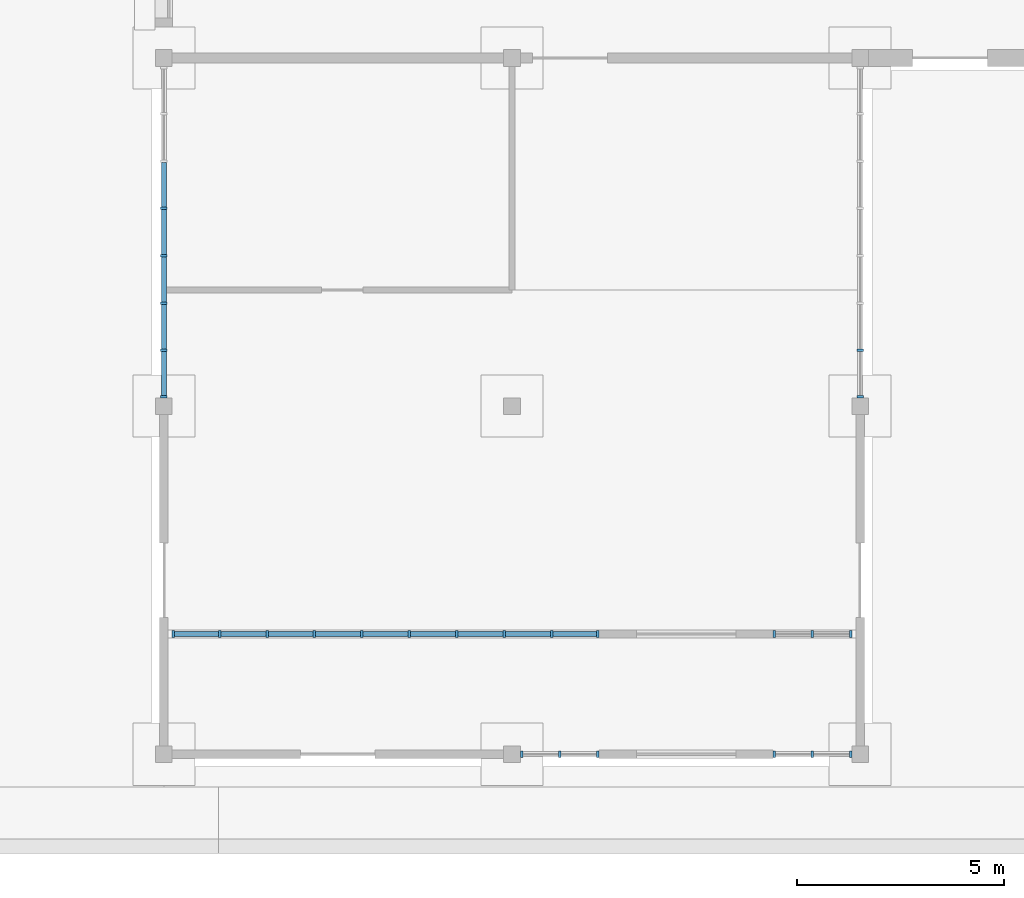
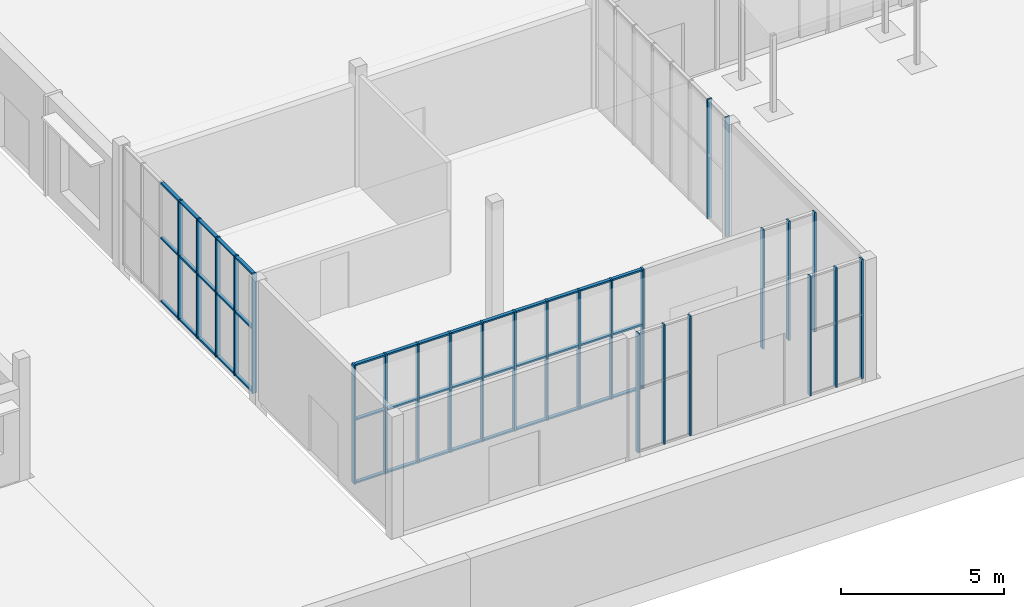
# One storey, part 10 of 36: 68 members, 6 elements without a shape of their own.
"""IFC4 building model written with IfcOpenShell, lengths in metres."""

from ifc_helpers import new_model, si_unit, direction, frame, origin, origin_2d, place, context, subcontext, project, spatial, rectangle, extrude, material, material_profile, profile_set, type_object, element, aggregate, save


model = new_model("IFC4")

# Units and contexts
model_context = context("Model", 3, precision=1e-05, world=origin(), true_north=direction((0.0, 1.0)))
body_context = subcontext(model_context, "Body", "Model", "MODEL_VIEW")
ifc_project = project(units=[si_unit("LENGTHUNIT", "METRE"), si_unit("AREAUNIT", "SQUARE_METRE"), si_unit("VOLUMEUNIT", "CUBIC_METRE"), si_unit("PLANEANGLEUNIT", "RADIAN"), si_unit("MASSUNIT", "GRAM", prefix="KILO")], contexts=[model_context])

# Site, building, storey
site_placement = place(None, origin())
site = spatial("IfcSite", under=ifc_project, at=site_placement, CompositionType="ELEMENT")
building_placement = place(site_placement, origin())
building = spatial("IfcBuilding", under=site, at=building_placement, Name="Fescue Hill Polytechnic", CompositionType="ELEMENT")
storey_placement = place(building_placement, origin())
storey = spatial("IfcBuildingStorey", under=building, at=storey_placement, Name="L00", CompositionType="ELEMENT", Elevation=0.0)

# Curtain wall, members
ifc_material_1 = material(Name="Glass", Category="glass")
curtain_wall_type_1 = type_object("IfcCurtainWallType", Name="Curtain wall structural glazing", PredefinedType="NOTDEFINED", material=ifc_material_1)
curtain_wall_1_placement = place(storey_placement, origin())
curtain_wall_1 = element("IfcCurtainWall", 1, at=curtain_wall_1_placement, inside=storey, type_object=curtain_wall_type_1, Name="CW-L00-V7-1", PredefinedType="NOTDEFINED")
ifc_material_2 = material(Name="Powder-coated aluminium", Category="aluminium")
ifc_material_profile_1 = material_profile(ifc_material_2, rectangle(XDim=0.159912109375, YDim=0.06005859375, at=origin_2d()), Name="Mullion aluminium 60x160")
ifc_profile_set_1 = profile_set([ifc_material_profile_1], Name="Powder-coated aluminium")
member_type_1 = type_object("IfcMemberType", Name="Mullion aluminium 60x160", PredefinedType="MULLION", material=ifc_profile_set_1)
member_1_placement = place(storey_placement, frame((142.800048828125, 0.22998046875, 0.0), z_axis=(0.0, 0.0, 1.0), x_axis=(-1.0, 0.0, 0.0)))
member_1 = element("IfcMember", 2, at=member_1_placement, type_object=member_type_1, Name="CW37 mullion 1", PredefinedType="MULLION", context=body_context, shape_type="SweptSolid", body=[
    extrude(rectangle(XDim=0.159912109375, YDim=0.06005859375, at=origin_2d()), origin(), (0.0, 0.0, 1.0), 4.47998046875),
])
member_2_placement = place(storey_placement, frame((142.800048828125, 1.3427734375, 0.0), z_axis=(0.0, 0.0, 1.0), x_axis=(-1.0, 0.0, 0.0)))
member_2 = element("IfcMember", 3, at=member_2_placement, type_object=member_type_1, Name="CW37 mullion 2", PredefinedType="MULLION", context=body_context, shape_type="SweptSolid", body=[
    extrude(rectangle(XDim=0.159912109375, YDim=0.06005859375, at=origin_2d()), origin(), (0.0, 0.0, 1.0), 4.47998046875),
])
aggregate(curtain_wall_1, [member_1, member_2])

curtain_wall_2_placement = place(storey_placement, origin())
curtain_wall_2 = element("IfcCurtainWall", 4, at=curtain_wall_2_placement, inside=storey, type_object=curtain_wall_type_1, Name="CW-L00-V7-2", PredefinedType="NOTDEFINED")
member_3_placement = place(storey_placement, frame((126.0, 4.771484375, 0.0), z_axis=(0.0, 0.0, 1.0), x_axis=(1.0, 0.0, 0.0)))
member_3 = element("IfcMember", 5, at=member_3_placement, type_object=member_type_1, Name="CW38 mullion 4", PredefinedType="MULLION", context=body_context, shape_type="SweptSolid", body=[
    extrude(rectangle(XDim=0.159912109375, YDim=0.06005859375, at=origin_2d()), origin(), (0.0, 0.0, 1.0), 4.47998046875),
])
member_4_placement = place(storey_placement, frame((126.0, 3.628662109375, 0.0), z_axis=(0.0, 0.0, 1.0), x_axis=(1.0, 0.0, 0.0)))
member_4 = element("IfcMember", 6, at=member_4_placement, type_object=member_type_1, Name="CW38 mullion 5", PredefinedType="MULLION", context=body_context, shape_type="SweptSolid", body=[
    extrude(rectangle(XDim=0.159912109375, YDim=0.06005859375, at=origin_2d()), origin(), (0.0, 0.0, 1.0), 4.47998046875),
])
member_5_placement = place(storey_placement, frame((126.0, 2.485595703125, 0.0), z_axis=(0.0, 0.0, 1.0), x_axis=(1.0, 0.0, 0.0)))
member_5 = element("IfcMember", 7, at=member_5_placement, type_object=member_type_1, Name="CW38 mullion 6", PredefinedType="MULLION", context=body_context, shape_type="SweptSolid", body=[
    extrude(rectangle(XDim=0.159912109375, YDim=0.06005859375, at=origin_2d()), origin(), (0.0, 0.0, 1.0), 4.47998046875),
])
member_6_placement = place(storey_placement, frame((126.0, 1.3427734375, 0.0), z_axis=(0.0, 0.0, 1.0), x_axis=(1.0, 0.0, 0.0)))
member_6 = element("IfcMember", 8, at=member_6_placement, type_object=member_type_1, Name="CW38 mullion 7", PredefinedType="MULLION", context=body_context, shape_type="SweptSolid", body=[
    extrude(rectangle(XDim=0.159912109375, YDim=0.06005859375, at=origin_2d()), origin(), (0.0, 0.0, 1.0), 4.47998046875),
])
member_7_placement = place(storey_placement, frame((126.0, 0.22998046875, 0.0), z_axis=(0.0, 0.0, 1.0), x_axis=(1.0, 0.0, 0.0)))
member_7 = element("IfcMember", 9, at=member_7_placement, type_object=member_type_1, Name="CW38 mullion 8", PredefinedType="MULLION", context=body_context, shape_type="SweptSolid", body=[
    extrude(rectangle(XDim=0.159912109375, YDim=0.06005859375, at=origin_2d()), origin(), (0.0, 0.0, 1.0), 4.47998046875),
])

curtain_wall_3_placement = place(storey_placement, origin())
curtain_wall_3 = element("IfcCurtainWall", 10, at=curtain_wall_3_placement, inside=storey, type_object=curtain_wall_type_1, Name="CW-L00-V7-3", PredefinedType="NOTDEFINED")
member_8_placement = place(storey_placement, frame((134.6298828125, -8.39990234375, 0.0), z_axis=(0.0, 0.0, 1.0), x_axis=(0.0, 1.0, 0.0)))
member_8 = element("IfcMember", 11, at=member_8_placement, type_object=member_type_1, Name="CW39 mullion 1", PredefinedType="MULLION", context=body_context, shape_type="SweptSolid", body=[
    extrude(rectangle(XDim=0.159912109375, YDim=0.06005859375, at=origin_2d()), origin(), (0.0, 0.0, 1.0), 4.47998046875),
])
member_9_placement = place(storey_placement, frame((135.550048828125, -8.39990234375, 0.0), z_axis=(0.0, 0.0, 1.0), x_axis=(0.0, 1.0, 0.0)))
member_9 = element("IfcMember", 12, at=member_9_placement, type_object=member_type_1, Name="CW39 mullion 2", PredefinedType="MULLION", context=body_context, shape_type="SweptSolid", body=[
    extrude(rectangle(XDim=0.159912109375, YDim=0.06005859375, at=origin_2d()), origin(), (0.0, 0.0, 1.0), 4.47998046875),
])
member_10_placement = place(storey_placement, frame((136.469970703125, -8.39990234375, 0.0), z_axis=(0.0, 0.0, 1.0), x_axis=(0.0, 1.0, 0.0)))
member_10 = element("IfcMember", 13, at=member_10_placement, type_object=member_type_1, Name="CW39 mullion 3", PredefinedType="MULLION", context=body_context, shape_type="SweptSolid", body=[
    extrude(rectangle(XDim=0.159912109375, YDim=0.06005859375, at=origin_2d()), origin(), (0.0, 0.0, 1.0), 4.47998046875),
])
aggregate(curtain_wall_3, [member_8, member_9, member_10])

curtain_wall_4_placement = place(storey_placement, origin())
curtain_wall_4 = element("IfcCurtainWall", 14, at=curtain_wall_4_placement, inside=storey, type_object=curtain_wall_type_1, Name="CW-L00-V7-4", PredefinedType="NOTDEFINED")
member_11_placement = place(storey_placement, frame((140.72998046875, -8.39990234375, 0.0), z_axis=(0.0, 0.0, 1.0), x_axis=(0.0, 1.0, 0.0)))
member_11 = element("IfcMember", 15, at=member_11_placement, type_object=member_type_1, Name="CW40 mullion 1", PredefinedType="MULLION", context=body_context, shape_type="SweptSolid", body=[
    extrude(rectangle(XDim=0.159912109375, YDim=0.06005859375, at=origin_2d()), origin(), (0.0, 0.0, 1.0), 4.47998046875),
])
member_12_placement = place(storey_placement, frame((141.64990234375, -8.39990234375, 0.0), z_axis=(0.0, 0.0, 1.0), x_axis=(0.0, 1.0, 0.0)))
member_12 = element("IfcMember", 16, at=member_12_placement, type_object=member_type_1, Name="CW40 mullion 2", PredefinedType="MULLION", context=body_context, shape_type="SweptSolid", body=[
    extrude(rectangle(XDim=0.159912109375, YDim=0.06005859375, at=origin_2d()), origin(), (0.0, 0.0, 1.0), 4.47998046875),
])
member_13_placement = place(storey_placement, frame((142.570068359375, -8.39990234375, 0.0), z_axis=(0.0, 0.0, 1.0), x_axis=(0.0, 1.0, 0.0)))
member_13 = element("IfcMember", 17, at=member_13_placement, type_object=member_type_1, Name="CW40 mullion 3", PredefinedType="MULLION", context=body_context, shape_type="SweptSolid", body=[
    extrude(rectangle(XDim=0.159912109375, YDim=0.06005859375, at=origin_2d()), origin(), (0.0, 0.0, 1.0), 4.47998046875),
])
aggregate(curtain_wall_4, [member_11, member_12, member_13])

curtain_wall_type_2 = type_object("IfcCurtainWallType", Name="Curtain wall vestibule glazing", PredefinedType="NOTDEFINED", material=ifc_material_1)
curtain_wall_5_placement = place(storey_placement, origin())
curtain_wall_5 = element("IfcCurtainWall", 18, at=curtain_wall_5_placement, inside=storey, type_object=curtain_wall_type_2, Name="CW-L00-V7-X1", PredefinedType="NOTDEFINED")
ifc_material_profile_2 = material_profile(ifc_material_2, rectangle(XDim=0.159912109375, YDim=0.06005859375, at=origin_2d()), Name="Mullion aluminium 60x160 internal")
ifc_profile_set_2 = profile_set([ifc_material_profile_2], Name="Powder-coated aluminium")
member_type_2 = type_object("IfcMemberType", Name="Mullion aluminium 60x160 internal", PredefinedType="MULLION", material=ifc_profile_set_2)
member_14_placement = place(storey_placement, frame((126.22998046875, -5.5, 0.0), z_axis=(0.0, 0.0, 1.0), x_axis=(0.0, 1.0, 0.0)))
member_14 = element("IfcMember", 19, at=member_14_placement, type_object=member_type_2, Name="CW113 mullion 1", PredefinedType="MULLION", context=body_context, shape_type="SweptSolid", body=[
    extrude(rectangle(XDim=0.159912109375, YDim=0.06005859375, at=origin_2d()), origin(), (0.0, 0.0, 1.0), 4.47998046875),
])
member_15_placement = place(storey_placement, frame((127.344482421875, -5.5, 0.0), z_axis=(0.0, 0.0, 1.0), x_axis=(0.0, 1.0, 0.0)))
member_15 = element("IfcMember", 20, at=member_15_placement, type_object=member_type_2, Name="CW113 mullion 2", PredefinedType="MULLION", context=body_context, shape_type="SweptSolid", body=[
    extrude(rectangle(XDim=0.159912109375, YDim=0.06005859375, at=origin_2d()), origin(), (0.0, 0.0, 1.0), 4.47998046875),
])
member_16_placement = place(storey_placement, frame((128.48876953125, -5.5, 0.0), z_axis=(0.0, 0.0, 1.0), x_axis=(0.0, 1.0, 0.0)))
member_16 = element("IfcMember", 21, at=member_16_placement, type_object=member_type_2, Name="CW113 mullion 3", PredefinedType="MULLION", context=body_context, shape_type="SweptSolid", body=[
    extrude(rectangle(XDim=0.159912109375, YDim=0.06005859375, at=origin_2d()), origin(), (0.0, 0.0, 1.0), 4.47998046875),
])
member_17_placement = place(storey_placement, frame((129.63330078125, -5.5, 0.0), z_axis=(0.0, 0.0, 1.0), x_axis=(0.0, 1.0, 0.0)))
member_17 = element("IfcMember", 22, at=member_17_placement, type_object=member_type_2, Name="CW113 mullion 4", PredefinedType="MULLION", context=body_context, shape_type="SweptSolid", body=[
    extrude(rectangle(XDim=0.159912109375, YDim=0.06005859375, at=origin_2d()), origin(), (0.0, 0.0, 1.0), 4.47998046875),
])
member_18_placement = place(storey_placement, frame((130.77783203125, -5.5, 0.0), z_axis=(0.0, 0.0, 1.0), x_axis=(0.0, 1.0, 0.0)))
member_18 = element("IfcMember", 23, at=member_18_placement, type_object=member_type_2, Name="CW113 mullion 5", PredefinedType="MULLION", context=body_context, shape_type="SweptSolid", body=[
    extrude(rectangle(XDim=0.159912109375, YDim=0.06005859375, at=origin_2d()), origin(), (0.0, 0.0, 1.0), 4.47998046875),
])
member_19_placement = place(storey_placement, frame((131.922119140625, -5.5, 0.0), z_axis=(0.0, 0.0, 1.0), x_axis=(0.0, 1.0, 0.0)))
member_19 = element("IfcMember", 24, at=member_19_placement, type_object=member_type_2, Name="CW113 mullion 6", PredefinedType="MULLION", context=body_context, shape_type="SweptSolid", body=[
    extrude(rectangle(XDim=0.159912109375, YDim=0.06005859375, at=origin_2d()), origin(), (0.0, 0.0, 1.0), 4.47998046875),
])
member_20_placement = place(storey_placement, frame((133.066650390625, -5.5, 0.0), z_axis=(0.0, 0.0, 1.0), x_axis=(0.0, 1.0, 0.0)))
member_20 = element("IfcMember", 25, at=member_20_placement, type_object=member_type_2, Name="CW113 mullion 7", PredefinedType="MULLION", context=body_context, shape_type="SweptSolid", body=[
    extrude(rectangle(XDim=0.159912109375, YDim=0.06005859375, at=origin_2d()), origin(), (0.0, 0.0, 1.0), 4.47998046875),
])
member_21_placement = place(storey_placement, frame((134.211181640625, -5.5, 0.0), z_axis=(0.0, 0.0, 1.0), x_axis=(0.0, 1.0, 0.0)))
member_21 = element("IfcMember", 26, at=member_21_placement, type_object=member_type_2, Name="CW113 mullion 8", PredefinedType="MULLION", context=body_context, shape_type="SweptSolid", body=[
    extrude(rectangle(XDim=0.159912109375, YDim=0.06005859375, at=origin_2d()), origin(), (0.0, 0.0, 1.0), 4.47998046875),
])
member_22_placement = place(storey_placement, frame((135.35546875, -5.5, 0.0), z_axis=(0.0, 0.0, 1.0), x_axis=(0.0, 1.0, 0.0)))
member_22 = element("IfcMember", 27, at=member_22_placement, type_object=member_type_2, Name="CW113 mullion 9", PredefinedType="MULLION", context=body_context, shape_type="SweptSolid", body=[
    extrude(rectangle(XDim=0.159912109375, YDim=0.06005859375, at=origin_2d()), origin(), (0.0, 0.0, 1.0), 4.47998046875),
])
member_23_placement = place(storey_placement, frame((136.469970703125, -5.5, 0.0), z_axis=(0.0, 0.0, 1.0), x_axis=(0.0, 1.0, 0.0)))
member_23 = element("IfcMember", 28, at=member_23_placement, type_object=member_type_2, Name="CW113 mullion 10", PredefinedType="MULLION", context=body_context, shape_type="SweptSolid", body=[
    extrude(rectangle(XDim=0.159912109375, YDim=0.06005859375, at=origin_2d()), origin(), (0.0, 0.0, 1.0), 4.47998046875),
])

curtain_wall_6_placement = place(storey_placement, origin())
curtain_wall_6 = element("IfcCurtainWall", 29, at=curtain_wall_6_placement, inside=storey, type_object=curtain_wall_type_2, Name="CW-L00-V7-X2", PredefinedType="NOTDEFINED")
member_24_placement = place(storey_placement, frame((140.72998046875, -5.5, 0.0), z_axis=(0.0, 0.0, 1.0), x_axis=(0.0, 1.0, 0.0)))
member_24 = element("IfcMember", 30, at=member_24_placement, type_object=member_type_2, Name="CW114 mullion 1", PredefinedType="MULLION", context=body_context, shape_type="SweptSolid", body=[
    extrude(rectangle(XDim=0.159912109375, YDim=0.06005859375, at=origin_2d()), origin(), (0.0, 0.0, 1.0), 4.47998046875),
])
member_25_placement = place(storey_placement, frame((141.64990234375, -5.5, 0.0), z_axis=(0.0, 0.0, 1.0), x_axis=(0.0, 1.0, 0.0)))
member_25 = element("IfcMember", 31, at=member_25_placement, type_object=member_type_2, Name="CW114 mullion 2", PredefinedType="MULLION", context=body_context, shape_type="SweptSolid", body=[
    extrude(rectangle(XDim=0.159912109375, YDim=0.06005859375, at=origin_2d()), origin(), (0.0, 0.0, 1.0), 4.47998046875),
])
member_26_placement = place(storey_placement, frame((142.570068359375, -5.5, 0.0), z_axis=(0.0, 0.0, 1.0), x_axis=(0.0, 1.0, 0.0)))
member_26 = element("IfcMember", 32, at=member_26_placement, type_object=member_type_2, Name="CW114 mullion 3", PredefinedType="MULLION", context=body_context, shape_type="SweptSolid", body=[
    extrude(rectangle(XDim=0.159912109375, YDim=0.06005859375, at=origin_2d()), origin(), (0.0, 0.0, 1.0), 4.47998046875),
])
aggregate(curtain_wall_6, [member_24, member_25, member_26])

# Member
ifc_material_profile_3 = material_profile(ifc_material_2, rectangle(XDim=0.1201171875, YDim=0.06005859375, at=origin_2d()), Name="Transom aluminium 60x120")
ifc_profile_set_3 = profile_set([ifc_material_profile_3], Name="Powder-coated aluminium")
member_type_3 = type_object("IfcMemberType", Name="Transom aluminium 60x120", PredefinedType="USERDEFINED", material=ifc_profile_set_3)
member_27_placement = place(storey_placement, frame((126.0, 5.88427734375, 0.030029296875), z_axis=(0.0, -1.0, 0.0), x_axis=(1.0, 0.0, 0.0)))
member_27 = element("IfcMember", 33, at=member_27_placement, type_object=member_type_3, Name="CW38 transom 3.1", ObjectType="TRANSOM", PredefinedType="USERDEFINED", context=body_context, shape_type="SweptSolid", body=[
    extrude(rectangle(XDim=0.1201171875, YDim=0.06005859375, at=origin_2d()), origin(), (0.0, 0.0, 1.0), 1.082763671875),
])

member_28_placement = place(storey_placement, frame((126.0, 5.88427734375, 2.39990234375), z_axis=(0.0, -1.0, 0.0), x_axis=(1.0, 0.0, 0.0)))
member_28 = element("IfcMember", 34, at=member_28_placement, type_object=member_type_3, Name="CW38 transom 3.2", ObjectType="TRANSOM", PredefinedType="USERDEFINED", context=body_context, shape_type="SweptSolid", body=[
    extrude(rectangle(XDim=0.1201171875, YDim=0.06005859375, at=origin_2d()), origin(), (0.0, 0.0, 1.0), 1.082763671875),
])

member_29_placement = place(storey_placement, frame((126.0, 5.88427734375, 4.449951171875), z_axis=(0.0, -1.0, 0.0), x_axis=(1.0, 0.0, 0.0)))
member_29 = element("IfcMember", 35, at=member_29_placement, type_object=member_type_3, Name="CW38 transom 3.3", ObjectType="TRANSOM", PredefinedType="USERDEFINED", context=body_context, shape_type="SweptSolid", body=[
    extrude(rectangle(XDim=0.1201171875, YDim=0.06005859375, at=origin_2d()), origin(), (0.0, 0.0, 1.0), 1.082763671875),
])

member_30_placement = place(storey_placement, frame((126.0, 4.741455078125, 0.030029296875), z_axis=(0.0, -1.0, 0.0), x_axis=(1.0, 0.0, 0.0)))
member_30 = element("IfcMember", 36, at=member_30_placement, type_object=member_type_3, Name="CW38 transom 4.1", ObjectType="TRANSOM", PredefinedType="USERDEFINED", context=body_context, shape_type="SweptSolid", body=[
    extrude(rectangle(XDim=0.1201171875, YDim=0.06005859375, at=origin_2d()), origin(), (0.0, 0.0, 1.0), 1.082763671875),
])

member_31_placement = place(storey_placement, frame((126.0, 4.741455078125, 2.39990234375), z_axis=(0.0, -1.0, 0.0), x_axis=(1.0, 0.0, 0.0)))
member_31 = element("IfcMember", 37, at=member_31_placement, type_object=member_type_3, Name="CW38 transom 4.2", ObjectType="TRANSOM", PredefinedType="USERDEFINED", context=body_context, shape_type="SweptSolid", body=[
    extrude(rectangle(XDim=0.1201171875, YDim=0.06005859375, at=origin_2d()), origin(), (0.0, 0.0, 1.0), 1.082763671875),
])

member_32_placement = place(storey_placement, frame((126.0, 4.741455078125, 4.449951171875), z_axis=(0.0, -1.0, 0.0), x_axis=(1.0, 0.0, 0.0)))
member_32 = element("IfcMember", 38, at=member_32_placement, type_object=member_type_3, Name="CW38 transom 4.3", ObjectType="TRANSOM", PredefinedType="USERDEFINED", context=body_context, shape_type="SweptSolid", body=[
    extrude(rectangle(XDim=0.1201171875, YDim=0.06005859375, at=origin_2d()), origin(), (0.0, 0.0, 1.0), 1.082763671875),
])

member_33_placement = place(storey_placement, frame((126.0, 3.5986328125, 0.030029296875), z_axis=(0.0, -1.0, 0.0), x_axis=(1.0, 0.0, 0.0)))
member_33 = element("IfcMember", 39, at=member_33_placement, type_object=member_type_3, Name="CW38 transom 5.1", ObjectType="TRANSOM", PredefinedType="USERDEFINED", context=body_context, shape_type="SweptSolid", body=[
    extrude(rectangle(XDim=0.1201171875, YDim=0.06005859375, at=origin_2d()), origin(), (0.0, 0.0, 1.0), 1.0830078125),
])

member_34_placement = place(storey_placement, frame((126.0, 3.5986328125, 2.39990234375), z_axis=(0.0, -1.0, 0.0), x_axis=(1.0, 0.0, 0.0)))
member_34 = element("IfcMember", 40, at=member_34_placement, type_object=member_type_3, Name="CW38 transom 5.2", ObjectType="TRANSOM", PredefinedType="USERDEFINED", context=body_context, shape_type="SweptSolid", body=[
    extrude(rectangle(XDim=0.1201171875, YDim=0.06005859375, at=origin_2d()), origin(), (0.0, 0.0, 1.0), 1.0830078125),
])

member_35_placement = place(storey_placement, frame((126.0, 3.5986328125, 4.449951171875), z_axis=(0.0, -1.0, 0.0), x_axis=(1.0, 0.0, 0.0)))
member_35 = element("IfcMember", 41, at=member_35_placement, type_object=member_type_3, Name="CW38 transom 5.3", ObjectType="TRANSOM", PredefinedType="USERDEFINED", context=body_context, shape_type="SweptSolid", body=[
    extrude(rectangle(XDim=0.1201171875, YDim=0.06005859375, at=origin_2d()), origin(), (0.0, 0.0, 1.0), 1.0830078125),
])

member_36_placement = place(storey_placement, frame((126.0, 2.455810546875, 0.030029296875), z_axis=(0.0, -1.0, 0.0), x_axis=(1.0, 0.0, 0.0)))
member_36 = element("IfcMember", 42, at=member_36_placement, type_object=member_type_3, Name="CW38 transom 6.1", ObjectType="TRANSOM", PredefinedType="USERDEFINED", context=body_context, shape_type="SweptSolid", body=[
    extrude(rectangle(XDim=0.1201171875, YDim=0.06005859375, at=origin_2d()), origin(), (0.0, 0.0, 1.0), 1.0830078125),
])

member_37_placement = place(storey_placement, frame((126.0, 2.455810546875, 2.39990234375), z_axis=(0.0, -1.0, 0.0), x_axis=(1.0, 0.0, 0.0)))
member_37 = element("IfcMember", 43, at=member_37_placement, type_object=member_type_3, Name="CW38 transom 6.2", ObjectType="TRANSOM", PredefinedType="USERDEFINED", context=body_context, shape_type="SweptSolid", body=[
    extrude(rectangle(XDim=0.1201171875, YDim=0.06005859375, at=origin_2d()), origin(), (0.0, 0.0, 1.0), 1.0830078125),
])

member_38_placement = place(storey_placement, frame((126.0, 2.455810546875, 4.449951171875), z_axis=(0.0, -1.0, 0.0), x_axis=(1.0, 0.0, 0.0)))
member_38 = element("IfcMember", 44, at=member_38_placement, type_object=member_type_3, Name="CW38 transom 6.3", ObjectType="TRANSOM", PredefinedType="USERDEFINED", context=body_context, shape_type="SweptSolid", body=[
    extrude(rectangle(XDim=0.1201171875, YDim=0.06005859375, at=origin_2d()), origin(), (0.0, 0.0, 1.0), 1.0830078125),
])

member_39_placement = place(storey_placement, frame((126.0, 1.312744140625, 0.030029296875), z_axis=(0.0, -1.0, 0.0), x_axis=(1.0, 0.0, 0.0)))
member_39 = element("IfcMember", 45, at=member_39_placement, type_object=member_type_3, Name="CW38 transom 7.1", ObjectType="TRANSOM", PredefinedType="USERDEFINED", context=body_context, shape_type="SweptSolid", body=[
    extrude(rectangle(XDim=0.1201171875, YDim=0.06005859375, at=origin_2d()), origin(), (0.0, 0.0, 1.0), 1.052734375),
])

member_40_placement = place(storey_placement, frame((126.0, 1.312744140625, 2.39990234375), z_axis=(0.0, -1.0, 0.0), x_axis=(1.0, 0.0, 0.0)))
member_40 = element("IfcMember", 46, at=member_40_placement, type_object=member_type_3, Name="CW38 transom 7.2", ObjectType="TRANSOM", PredefinedType="USERDEFINED", context=body_context, shape_type="SweptSolid", body=[
    extrude(rectangle(XDim=0.1201171875, YDim=0.06005859375, at=origin_2d()), origin(), (0.0, 0.0, 1.0), 1.052734375),
])

member_41_placement = place(storey_placement, frame((126.0, 1.312744140625, 4.449951171875), z_axis=(0.0, -1.0, 0.0), x_axis=(1.0, 0.0, 0.0)))
member_41 = element("IfcMember", 47, at=member_41_placement, type_object=member_type_3, Name="CW38 transom 7.3", ObjectType="TRANSOM", PredefinedType="USERDEFINED", context=body_context, shape_type="SweptSolid", body=[
    extrude(rectangle(XDim=0.1201171875, YDim=0.06005859375, at=origin_2d()), origin(), (0.0, 0.0, 1.0), 1.052734375),
])

aggregate(curtain_wall_2, [member_3, member_4, member_5, member_6, member_7, member_27, member_28, member_29, member_30, member_31, member_32, member_33, member_34, member_35, member_36, member_37, member_38, member_39, member_40, member_41])

ifc_material_profile_4 = material_profile(ifc_material_2, rectangle(XDim=0.1201171875, YDim=0.06005859375, at=origin_2d()), Name="Transom aluminium 60x120 internal")
ifc_profile_set_4 = profile_set([ifc_material_profile_4], Name="Powder-coated aluminium")
member_type_4 = type_object("IfcMemberType", Name="Transom aluminium 60x120 internal", PredefinedType="USERDEFINED", material=ifc_profile_set_4)
member_42_placement = place(storey_placement, frame((126.260009765625, -5.5, 0.030029296875), z_axis=(1.0, 0.0, 0.0), x_axis=(0.0, 1.0, 0.0)))
member_42 = element("IfcMember", 48, at=member_42_placement, type_object=member_type_4, Name="CW113 transom 1.1", ObjectType="TRANSOM", PredefinedType="USERDEFINED", context=body_context, shape_type="SweptSolid", body=[
    extrude(rectangle(XDim=0.1201171875, YDim=0.06005859375, at=origin_2d()), origin(), (0.0, 0.0, 1.0), 1.054443359375),
])

member_43_placement = place(storey_placement, frame((126.260009765625, -5.5, 2.39990234375), z_axis=(1.0, 0.0, 0.0), x_axis=(0.0, 1.0, 0.0)))
member_43 = element("IfcMember", 49, at=member_43_placement, type_object=member_type_4, Name="CW113 transom 1.2", ObjectType="TRANSOM", PredefinedType="USERDEFINED", context=body_context, shape_type="SweptSolid", body=[
    extrude(rectangle(XDim=0.1201171875, YDim=0.06005859375, at=origin_2d()), origin(), (0.0, 0.0, 1.0), 1.054443359375),
])

member_44_placement = place(storey_placement, frame((126.260009765625, -5.5, 4.449951171875), z_axis=(1.0, 0.0, 0.0), x_axis=(0.0, 1.0, 0.0)))
member_44 = element("IfcMember", 50, at=member_44_placement, type_object=member_type_4, Name="CW113 transom 1.3", ObjectType="TRANSOM", PredefinedType="USERDEFINED", context=body_context, shape_type="SweptSolid", body=[
    extrude(rectangle(XDim=0.1201171875, YDim=0.06005859375, at=origin_2d()), origin(), (0.0, 0.0, 1.0), 1.054443359375),
])

member_45_placement = place(storey_placement, frame((127.37451171875, -5.5, 0.030029296875), z_axis=(1.0, 0.0, 0.0), x_axis=(0.0, 1.0, 0.0)))
member_45 = element("IfcMember", 51, at=member_45_placement, type_object=member_type_4, Name="CW113 transom 2.1", ObjectType="TRANSOM", PredefinedType="USERDEFINED", context=body_context, shape_type="SweptSolid", body=[
    extrude(rectangle(XDim=0.1201171875, YDim=0.06005859375, at=origin_2d()), origin(), (0.0, 0.0, 1.0), 1.08447265625),
])

member_46_placement = place(storey_placement, frame((127.37451171875, -5.5, 2.39990234375), z_axis=(1.0, 0.0, 0.0), x_axis=(0.0, 1.0, 0.0)))
member_46 = element("IfcMember", 52, at=member_46_placement, type_object=member_type_4, Name="CW113 transom 2.2", ObjectType="TRANSOM", PredefinedType="USERDEFINED", context=body_context, shape_type="SweptSolid", body=[
    extrude(rectangle(XDim=0.1201171875, YDim=0.06005859375, at=origin_2d()), origin(), (0.0, 0.0, 1.0), 1.08447265625),
])

member_47_placement = place(storey_placement, frame((127.37451171875, -5.5, 4.449951171875), z_axis=(1.0, 0.0, 0.0), x_axis=(0.0, 1.0, 0.0)))
member_47 = element("IfcMember", 53, at=member_47_placement, type_object=member_type_4, Name="CW113 transom 2.3", ObjectType="TRANSOM", PredefinedType="USERDEFINED", context=body_context, shape_type="SweptSolid", body=[
    extrude(rectangle(XDim=0.1201171875, YDim=0.06005859375, at=origin_2d()), origin(), (0.0, 0.0, 1.0), 1.08447265625),
])

member_48_placement = place(storey_placement, frame((128.518798828125, -5.5, 0.030029296875), z_axis=(1.0, 0.0, 0.0), x_axis=(0.0, 1.0, 0.0)))
member_48 = element("IfcMember", 54, at=member_48_placement, type_object=member_type_4, Name="CW113 transom 3.1", ObjectType="TRANSOM", PredefinedType="USERDEFINED", context=body_context, shape_type="SweptSolid", body=[
    extrude(rectangle(XDim=0.1201171875, YDim=0.06005859375, at=origin_2d()), origin(), (0.0, 0.0, 1.0), 1.08447265625),
])

member_49_placement = place(storey_placement, frame((128.518798828125, -5.5, 2.39990234375), z_axis=(1.0, 0.0, 0.0), x_axis=(0.0, 1.0, 0.0)))
member_49 = element("IfcMember", 55, at=member_49_placement, type_object=member_type_4, Name="CW113 transom 3.2", ObjectType="TRANSOM", PredefinedType="USERDEFINED", context=body_context, shape_type="SweptSolid", body=[
    extrude(rectangle(XDim=0.1201171875, YDim=0.06005859375, at=origin_2d()), origin(), (0.0, 0.0, 1.0), 1.08447265625),
])

member_50_placement = place(storey_placement, frame((128.518798828125, -5.5, 4.449951171875), z_axis=(1.0, 0.0, 0.0), x_axis=(0.0, 1.0, 0.0)))
member_50 = element("IfcMember", 56, at=member_50_placement, type_object=member_type_4, Name="CW113 transom 3.3", ObjectType="TRANSOM", PredefinedType="USERDEFINED", context=body_context, shape_type="SweptSolid", body=[
    extrude(rectangle(XDim=0.1201171875, YDim=0.06005859375, at=origin_2d()), origin(), (0.0, 0.0, 1.0), 1.08447265625),
])

member_51_placement = place(storey_placement, frame((129.663330078125, -5.5, 0.030029296875), z_axis=(1.0, 0.0, 0.0), x_axis=(0.0, 1.0, 0.0)))
member_51 = element("IfcMember", 57, at=member_51_placement, type_object=member_type_4, Name="CW113 transom 4.1", ObjectType="TRANSOM", PredefinedType="USERDEFINED", context=body_context, shape_type="SweptSolid", body=[
    extrude(rectangle(XDim=0.1201171875, YDim=0.06005859375, at=origin_2d()), origin(), (0.0, 0.0, 1.0), 1.08447265625),
])

member_52_placement = place(storey_placement, frame((129.663330078125, -5.5, 2.39990234375), z_axis=(1.0, 0.0, 0.0), x_axis=(0.0, 1.0, 0.0)))
member_52 = element("IfcMember", 58, at=member_52_placement, type_object=member_type_4, Name="CW113 transom 4.2", ObjectType="TRANSOM", PredefinedType="USERDEFINED", context=body_context, shape_type="SweptSolid", body=[
    extrude(rectangle(XDim=0.1201171875, YDim=0.06005859375, at=origin_2d()), origin(), (0.0, 0.0, 1.0), 1.08447265625),
])

member_53_placement = place(storey_placement, frame((129.663330078125, -5.5, 4.449951171875), z_axis=(1.0, 0.0, 0.0), x_axis=(0.0, 1.0, 0.0)))
member_53 = element("IfcMember", 59, at=member_53_placement, type_object=member_type_4, Name="CW113 transom 4.3", ObjectType="TRANSOM", PredefinedType="USERDEFINED", context=body_context, shape_type="SweptSolid", body=[
    extrude(rectangle(XDim=0.1201171875, YDim=0.06005859375, at=origin_2d()), origin(), (0.0, 0.0, 1.0), 1.08447265625),
])

member_54_placement = place(storey_placement, frame((130.807861328125, -5.5, 0.030029296875), z_axis=(1.0, 0.0, 0.0), x_axis=(0.0, 1.0, 0.0)))
member_54 = element("IfcMember", 60, at=member_54_placement, type_object=member_type_4, Name="CW113 transom 5.1", ObjectType="TRANSOM", PredefinedType="USERDEFINED", context=body_context, shape_type="SweptSolid", body=[
    extrude(rectangle(XDim=0.1201171875, YDim=0.06005859375, at=origin_2d()), origin(), (0.0, 0.0, 1.0), 1.08447265625),
])

member_55_placement = place(storey_placement, frame((130.807861328125, -5.5, 2.39990234375), z_axis=(1.0, 0.0, 0.0), x_axis=(0.0, 1.0, 0.0)))
member_55 = element("IfcMember", 61, at=member_55_placement, type_object=member_type_4, Name="CW113 transom 5.2", ObjectType="TRANSOM", PredefinedType="USERDEFINED", context=body_context, shape_type="SweptSolid", body=[
    extrude(rectangle(XDim=0.1201171875, YDim=0.06005859375, at=origin_2d()), origin(), (0.0, 0.0, 1.0), 1.08447265625),
])

member_56_placement = place(storey_placement, frame((130.807861328125, -5.5, 4.449951171875), z_axis=(1.0, 0.0, 0.0), x_axis=(0.0, 1.0, 0.0)))
member_56 = element("IfcMember", 62, at=member_56_placement, type_object=member_type_4, Name="CW113 transom 5.3", ObjectType="TRANSOM", PredefinedType="USERDEFINED", context=body_context, shape_type="SweptSolid", body=[
    extrude(rectangle(XDim=0.1201171875, YDim=0.06005859375, at=origin_2d()), origin(), (0.0, 0.0, 1.0), 1.08447265625),
])

member_57_placement = place(storey_placement, frame((131.9521484375, -5.5, 0.030029296875), z_axis=(1.0, 0.0, 0.0), x_axis=(0.0, 1.0, 0.0)))
member_57 = element("IfcMember", 63, at=member_57_placement, type_object=member_type_4, Name="CW113 transom 6.1", ObjectType="TRANSOM", PredefinedType="USERDEFINED", context=body_context, shape_type="SweptSolid", body=[
    extrude(rectangle(XDim=0.1201171875, YDim=0.06005859375, at=origin_2d()), origin(), (0.0, 0.0, 1.0), 1.08447265625),
])

member_58_placement = place(storey_placement, frame((131.9521484375, -5.5, 2.39990234375), z_axis=(1.0, 0.0, 0.0), x_axis=(0.0, 1.0, 0.0)))
member_58 = element("IfcMember", 64, at=member_58_placement, type_object=member_type_4, Name="CW113 transom 6.2", ObjectType="TRANSOM", PredefinedType="USERDEFINED", context=body_context, shape_type="SweptSolid", body=[
    extrude(rectangle(XDim=0.1201171875, YDim=0.06005859375, at=origin_2d()), origin(), (0.0, 0.0, 1.0), 1.08447265625),
])

member_59_placement = place(storey_placement, frame((131.9521484375, -5.5, 4.449951171875), z_axis=(1.0, 0.0, 0.0), x_axis=(0.0, 1.0, 0.0)))
member_59 = element("IfcMember", 65, at=member_59_placement, type_object=member_type_4, Name="CW113 transom 6.3", ObjectType="TRANSOM", PredefinedType="USERDEFINED", context=body_context, shape_type="SweptSolid", body=[
    extrude(rectangle(XDim=0.1201171875, YDim=0.06005859375, at=origin_2d()), origin(), (0.0, 0.0, 1.0), 1.08447265625),
])

member_60_placement = place(storey_placement, frame((133.0966796875, -5.5, 0.030029296875), z_axis=(1.0, 0.0, 0.0), x_axis=(0.0, 1.0, 0.0)))
member_60 = element("IfcMember", 66, at=member_60_placement, type_object=member_type_4, Name="CW113 transom 7.1", ObjectType="TRANSOM", PredefinedType="USERDEFINED", context=body_context, shape_type="SweptSolid", body=[
    extrude(rectangle(XDim=0.1201171875, YDim=0.06005859375, at=origin_2d()), origin(), (0.0, 0.0, 1.0), 1.08447265625),
])

member_61_placement = place(storey_placement, frame((133.0966796875, -5.5, 2.39990234375), z_axis=(1.0, 0.0, 0.0), x_axis=(0.0, 1.0, 0.0)))
member_61 = element("IfcMember", 67, at=member_61_placement, type_object=member_type_4, Name="CW113 transom 7.2", ObjectType="TRANSOM", PredefinedType="USERDEFINED", context=body_context, shape_type="SweptSolid", body=[
    extrude(rectangle(XDim=0.1201171875, YDim=0.06005859375, at=origin_2d()), origin(), (0.0, 0.0, 1.0), 1.08447265625),
])

member_62_placement = place(storey_placement, frame((133.0966796875, -5.5, 4.449951171875), z_axis=(1.0, 0.0, 0.0), x_axis=(0.0, 1.0, 0.0)))
member_62 = element("IfcMember", 68, at=member_62_placement, type_object=member_type_4, Name="CW113 transom 7.3", ObjectType="TRANSOM", PredefinedType="USERDEFINED", context=body_context, shape_type="SweptSolid", body=[
    extrude(rectangle(XDim=0.1201171875, YDim=0.06005859375, at=origin_2d()), origin(), (0.0, 0.0, 1.0), 1.08447265625),
])

member_63_placement = place(storey_placement, frame((134.2412109375, -5.5, 0.030029296875), z_axis=(1.0, 0.0, 0.0), x_axis=(0.0, 1.0, 0.0)))
member_63 = element("IfcMember", 69, at=member_63_placement, type_object=member_type_4, Name="CW113 transom 8.1", ObjectType="TRANSOM", PredefinedType="USERDEFINED", context=body_context, shape_type="SweptSolid", body=[
    extrude(rectangle(XDim=0.1201171875, YDim=0.06005859375, at=origin_2d()), origin(), (0.0, 0.0, 1.0), 1.084228515625),
])

member_64_placement = place(storey_placement, frame((134.2412109375, -5.5, 2.39990234375), z_axis=(1.0, 0.0, 0.0), x_axis=(0.0, 1.0, 0.0)))
member_64 = element("IfcMember", 70, at=member_64_placement, type_object=member_type_4, Name="CW113 transom 8.2", ObjectType="TRANSOM", PredefinedType="USERDEFINED", context=body_context, shape_type="SweptSolid", body=[
    extrude(rectangle(XDim=0.1201171875, YDim=0.06005859375, at=origin_2d()), origin(), (0.0, 0.0, 1.0), 1.084228515625),
])

member_65_placement = place(storey_placement, frame((134.2412109375, -5.5, 4.449951171875), z_axis=(1.0, 0.0, 0.0), x_axis=(0.0, 1.0, 0.0)))
member_65 = element("IfcMember", 71, at=member_65_placement, type_object=member_type_4, Name="CW113 transom 8.3", ObjectType="TRANSOM", PredefinedType="USERDEFINED", context=body_context, shape_type="SweptSolid", body=[
    extrude(rectangle(XDim=0.1201171875, YDim=0.06005859375, at=origin_2d()), origin(), (0.0, 0.0, 1.0), 1.084228515625),
])

member_66_placement = place(storey_placement, frame((135.385498046875, -5.5, 0.030029296875), z_axis=(1.0, 0.0, 0.0), x_axis=(0.0, 1.0, 0.0)))
member_66 = element("IfcMember", 72, at=member_66_placement, type_object=member_type_4, Name="CW113 transom 9.1", ObjectType="TRANSOM", PredefinedType="USERDEFINED", context=body_context, shape_type="SweptSolid", body=[
    extrude(rectangle(XDim=0.1201171875, YDim=0.06005859375, at=origin_2d()), origin(), (0.0, 0.0, 1.0), 1.054443359375),
])

member_67_placement = place(storey_placement, frame((135.385498046875, -5.5, 2.39990234375), z_axis=(1.0, 0.0, 0.0), x_axis=(0.0, 1.0, 0.0)))
member_67 = element("IfcMember", 73, at=member_67_placement, type_object=member_type_4, Name="CW113 transom 9.2", ObjectType="TRANSOM", PredefinedType="USERDEFINED", context=body_context, shape_type="SweptSolid", body=[
    extrude(rectangle(XDim=0.1201171875, YDim=0.06005859375, at=origin_2d()), origin(), (0.0, 0.0, 1.0), 1.054443359375),
])

member_68_placement = place(storey_placement, frame((135.385498046875, -5.5, 4.449951171875), z_axis=(1.0, 0.0, 0.0), x_axis=(0.0, 1.0, 0.0)))
member_68 = element("IfcMember", 74, at=member_68_placement, type_object=member_type_4, Name="CW113 transom 9.3", ObjectType="TRANSOM", PredefinedType="USERDEFINED", context=body_context, shape_type="SweptSolid", body=[
    extrude(rectangle(XDim=0.1201171875, YDim=0.06005859375, at=origin_2d()), origin(), (0.0, 0.0, 1.0), 1.054443359375),
])

aggregate(curtain_wall_5, [member_14, member_15, member_16, member_17, member_18, member_19, member_20, member_21, member_22, member_23, member_42, member_43, member_44, member_45, member_46, member_47, member_48, member_49, member_50, member_51, member_52, member_53, member_54, member_55, member_56, member_57, member_58, member_59, member_60, member_61, member_62, member_63, member_64, member_65, member_66, member_67, member_68])

save(model, "model.ifc")
